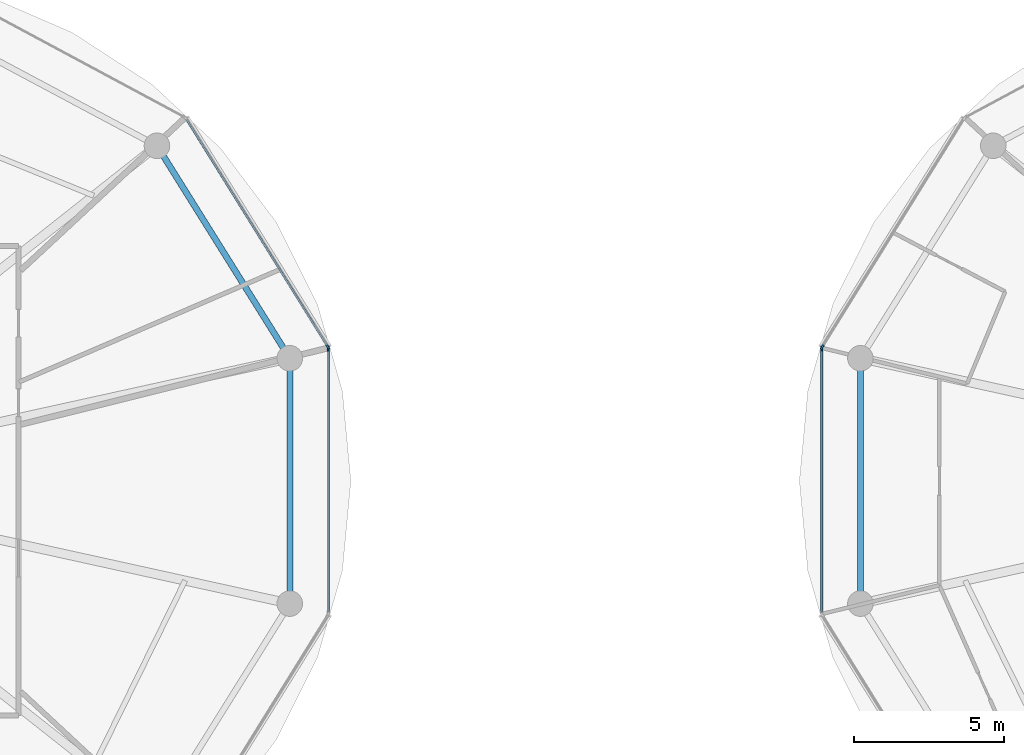
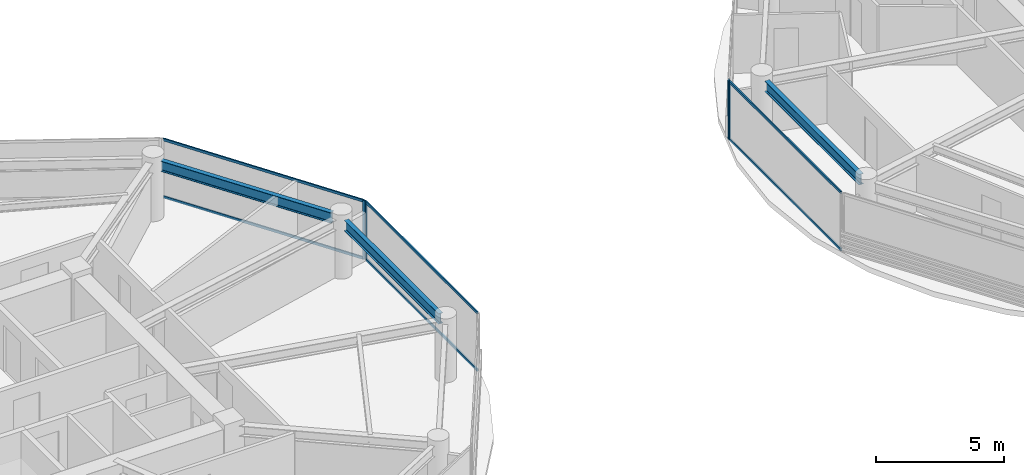
# One storey, part 7 of 23: 10 members, 3 beams, 4 elements without a shape of their own.
"""IFC4 building model written with IfcOpenShell, lengths in metres."""

from ifc_helpers import new_model, si_unit, direction, frame, origin, origin_2d, place, context, subcontext, project, spatial, rectangle, i_section, extrude, source, transform, mapped, material, layer, layer_set, material_profile, profile_set, type_object, type_shapes, element, aggregate, save


model = new_model("IFC4")

# Units and contexts
model_context = context("Model", 3, precision=1e-05, world=origin(), true_north=direction((0.0, 1.0)))
body_context = subcontext(model_context, "Body", "Model", "MODEL_VIEW")
ifc_project = project(units=[si_unit("LENGTHUNIT", "METRE"), si_unit("AREAUNIT", "SQUARE_METRE"), si_unit("VOLUMEUNIT", "CUBIC_METRE"), si_unit("PLANEANGLEUNIT", "RADIAN"), si_unit("MASSUNIT", "GRAM", prefix="KILO")], contexts=[model_context])

# Site, building, storey
site_placement = place(None, origin())
site = spatial("IfcSite", under=ifc_project, at=site_placement, CompositionType="ELEMENT")
building_placement = place(site_placement, origin())
building = spatial("IfcBuilding", under=site, at=building_placement, Name="Norrkilde Senior Care Towers", CompositionType="ELEMENT")
storey_placement = place(building_placement, frame((0.0, 0.0, 93.199951171875)))
storey = spatial("IfcBuildingStorey", under=building, at=storey_placement, Name="L28", CompositionType="ELEMENT", Elevation=93.199951171875)

# Beams
ifc_material_1 = material(Name="Steel S355", Category="steel")
ifc_material_profile_1 = material_profile(ifc_material_1, i_section(OverallWidth=0.199951171875, OverallDepth=0.5, WebThickness=0.01025390625, FlangeThickness=0.01611328125, FilletRadius=0.02099609375, at=origin_2d()), Name="IPE 500")
ifc_profile_set_1 = profile_set([ifc_material_profile_1], Name="Steel S355")
beam_type = type_object("IfcBeamType", Name="Perimeter Ring Spandrel Z2 IPE500", PredefinedType="SPANDREL", material=ifc_profile_set_1)
shared_shape_1 = source(origin(), body_context, "Body", "SweptSolid", [
    extrude(i_section(OverallWidth=0.199951171875, OverallDepth=0.5, WebThickness=0.01025390625, FlangeThickness=0.01611328125, FilletRadius=0.02099609375, at=origin_2d()), origin(), (0.0, 0.0, 1.0), 7.55615234375),
])
beam_placement = place(storey_placement, frame((-9.68505859375, 4.40283203125, 2.5400390625), z_axis=(-0.529981514254, 0.848009194849, 0.0), x_axis=(-0.848009194849, -0.529981514254, 0.0)))
element("IfcBeam", 1, at=beam_placement, inside=storey, type_object=beam_type, Name="L28 Drum W Perimeter Spandrel 01", PredefinedType="SPANDREL", context=body_context, shape_type="MappedRepresentation", body=[
    mapped(shared_shape_1, transform((0.0, 0.0, 0.0), x_axis=(1.0, 0.0, 0.0), y_axis=(0.0, 1.0, 0.0), z_axis=(0.0, 0.0, 1.0), scale=1.0)),
])
shared_shape_2 = source(origin(), body_context, "Body", "SweptSolid", [
    extrude(i_section(OverallWidth=0.199951171875, OverallDepth=0.5, WebThickness=0.01025390625, FlangeThickness=0.01611328125, FilletRadius=0.02099609375, at=origin_2d()), origin(), (0.0, 0.0, 1.0), 7.3828125),
])
type_shapes(beam_type, [shared_shape_1, shared_shape_2])
for number, where, z_axis, x_axis, name in (
    (2, (-9.48095703125, -3.69140625, 2.5400390625), (0.0, 1.0, 0.0), (-1.0, 0.0, 0.0), "L28 Drum W Perimeter Spandrel 12"),
    (3, (9.48095703125, 3.69140625, 2.5400390625), (0.0, -1.0, 0.0), (1.0, 0.0, 0.0), "L28 Drum E Perimeter Spandrel 06"),
):
    element("IfcBeam", number, at=place(storey_placement, frame(where, z_axis=z_axis, x_axis=x_axis)), inside=storey, type_object=beam_type, Name=name, PredefinedType="SPANDREL", context=body_context, shape_type="MappedRepresentation", body=[
        mapped(shared_shape_2, transform((0.0, 0.0, 0.0), x_axis=(1.0, 0.0, 0.0), y_axis=(0.0, 1.0, 0.0), z_axis=(0.0, 0.0, 1.0), scale=1.0)),
    ])

# Curtain wall, member
ifc_material_2 = material(Name="Triple Low-E Insulated Glazing", Category="glass")
ifc_layer = layer(ifc_material_2, 0.195068359375)
ifc_layer_set = layer_set([ifc_layer], Name="Triple Low-E Insulated Glazing")
curtain_wall_type = type_object("IfcCurtainWallType", Name="CW3 Zone 2 Assisted Living Curtain Wall", PredefinedType="NOTDEFINED", material=ifc_layer_set)
curtain_wall_1_placement = place(storey_placement, origin())
curtain_wall_1 = element("IfcCurtainWall", 4, at=curtain_wall_1_placement, inside=storey, type_object=curtain_wall_type, Name="L28 Drum W Curtain Wall 00", PredefinedType="NOTDEFINED")
ifc_material_3 = material(Name="Anodised Aluminium", Category="aluminium")
ifc_material_profile_2 = material_profile(ifc_material_3, rectangle(XDim=0.06494140625, YDim=0.159912109375, at=origin_2d()), Name="ALU MULL 65x160")
ifc_profile_set_2 = profile_set([ifc_material_profile_2], Name="Anodised Aluminium")
member_type_1 = type_object("IfcMemberType", Name="Curtain Wall Mullion Z1-Z2 65x160", PredefinedType="MULLION", material=ifc_profile_set_2)
shared_shape_3 = source(origin(), body_context, "Body", "SweptSolid", [
    extrude(rectangle(XDim=0.06494140625, YDim=0.159912109375, at=origin_2d()), origin(), (0.0, 0.0, 1.0), 2.7900390625),
])
type_shapes(member_type_1, [shared_shape_3])
member_1_placement = place(storey_placement, frame((-8.21337890625, 4.4482421875, 0.0), z_axis=(0.0, 0.0, 1.0), x_axis=(0.849410171862, 0.527733228002, 0.0)))
member_1 = element("IfcMember", 5, at=member_1_placement, type_object=member_type_1, Name="CW-3 mullion 2", PredefinedType="MULLION", context=body_context, shape_type="MappedRepresentation", body=[
    mapped(shared_shape_3, transform((0.0, 0.0, 0.0), x_axis=(1.0, 0.0, 0.0), y_axis=(0.0, 1.0, 0.0), z_axis=(0.0, 0.0, 1.0), scale=1.0)),
])

curtain_wall_2_placement = place(storey_placement, origin())
curtain_wall_2 = element("IfcCurtainWall", 6, at=curtain_wall_2_placement, inside=storey, type_object=curtain_wall_type, Name="L28 Drum W Curtain Wall 11", PredefinedType="NOTDEFINED")
member_2_placement = place(storey_placement, frame((-8.1962890625, 4.38818359375, 0.0), z_axis=(0.0, 0.0, 1.0), x_axis=(1.0, 0.0, 0.0)))
member_2 = element("IfcMember", 7, at=member_2_placement, type_object=member_type_1, Name="CW-3 mullion 1", PredefinedType="MULLION", context=body_context, shape_type="MappedRepresentation", body=[
    mapped(shared_shape_3, transform((0.0, 0.0, 0.0), x_axis=(1.0, 0.0, 0.0), y_axis=(0.0, 1.0, 0.0), z_axis=(0.0, 0.0, 1.0), scale=1.0)),
])

curtain_wall_3_placement = place(storey_placement, origin())
curtain_wall_3 = element("IfcCurtainWall", 8, at=curtain_wall_3_placement, inside=storey, type_object=curtain_wall_type, Name="L28 Drum E Curtain Wall 04", PredefinedType="NOTDEFINED")
member_3_placement = place(storey_placement, frame((8.21337890625, 4.4482421875, 0.0), z_axis=(0.0, 0.0, 1.0), x_axis=(-0.849410171862, 0.527733228002, 0.0)))
member_3 = element("IfcMember", 9, at=member_3_placement, type_object=member_type_1, Name="CW-3 mullion 1", PredefinedType="MULLION", context=body_context, shape_type="MappedRepresentation", body=[
    mapped(shared_shape_3, transform((0.0, 0.0, 0.0), x_axis=(1.0, 0.0, 0.0), y_axis=(0.0, 1.0, 0.0), z_axis=(0.0, 0.0, 1.0), scale=1.0)),
])
aggregate(curtain_wall_3, [member_3])

curtain_wall_4_placement = place(storey_placement, origin())
curtain_wall_4 = element("IfcCurtainWall", 10, at=curtain_wall_4_placement, inside=storey, type_object=curtain_wall_type, Name="L28 Drum E Curtain Wall 05", PredefinedType="NOTDEFINED")
member_4_placement = place(storey_placement, frame((8.1962890625, 4.38818359375, 0.0), z_axis=(0.0, 0.0, 1.0), x_axis=(-1.0, 0.0, 0.0)))
member_4 = element("IfcMember", 11, at=member_4_placement, type_object=member_type_1, Name="CW-3 mullion 2", PredefinedType="MULLION", context=body_context, shape_type="MappedRepresentation", body=[
    mapped(shared_shape_3, transform((0.0, 0.0, 0.0), x_axis=(1.0, 0.0, 0.0), y_axis=(0.0, 1.0, 0.0), z_axis=(0.0, 0.0, 1.0), scale=1.0)),
])

# Member
ifc_material_profile_3 = material_profile(ifc_material_3, rectangle(XDim=0.06005859375, YDim=0.1201171875, at=origin_2d()), Name="ALU TRAN 60x120")
ifc_profile_set_3 = profile_set([ifc_material_profile_3], Name="Anodised Aluminium")
member_type_2 = type_object("IfcMemberType", Name="Curtain Wall Transom Typical 60x120", PredefinedType="USERDEFINED", material=ifc_profile_set_3)
shared_shape_4 = source(origin(), body_context, "Body", "SweptSolid", [
    extrude(rectangle(XDim=0.06005859375, YDim=0.1201171875, at=origin_2d()), origin(), (0.0, 0.0, 1.0), 8.88427734375),
])
member_5_placement = place(storey_placement, frame((-12.919189453125, 12.022216796875, 0.030029296875), z_axis=(0.527749293309, -0.849400190377, 0.0), x_axis=(0.849400190377, 0.527749293309, 0.0)))
member_5 = element("IfcMember", 12, at=member_5_placement, type_object=member_type_2, Name="CW-3 transom 1.1", ObjectType="TRANSOM", PredefinedType="USERDEFINED", context=body_context, shape_type="MappedRepresentation", body=[
    mapped(shared_shape_4, transform((0.0, 0.0, 0.0), x_axis=(1.0, 0.0, 0.0), y_axis=(0.0, 1.0, 0.0), z_axis=(0.0, 0.0, 1.0), scale=1.0)),
])

member_6_placement = place(storey_placement, frame((-12.919189453125, 12.022216796875, 2.760009765625), z_axis=(0.527749293309, -0.849400190377, 0.0), x_axis=(0.849400190377, 0.527749293309, 0.0)))
member_6 = element("IfcMember", 13, at=member_6_placement, type_object=member_type_2, Name="CW-3 transom 1.2", ObjectType="TRANSOM", PredefinedType="USERDEFINED", context=body_context, shape_type="MappedRepresentation", body=[
    mapped(shared_shape_4, transform((0.0, 0.0, 0.0), x_axis=(1.0, 0.0, 0.0), y_axis=(0.0, 1.0, 0.0), z_axis=(0.0, 0.0, 1.0), scale=1.0)),
])

aggregate(curtain_wall_1, [member_1, member_5, member_6])

shared_shape_5 = source(origin(), body_context, "Body", "SweptSolid", [
    extrude(rectangle(XDim=0.06005859375, YDim=0.1201171875, at=origin_2d()), origin(), (0.0, 0.0, 1.0), 8.71142578125),
])
type_shapes(member_type_2, [shared_shape_4, shared_shape_5])
member_7_placement = place(storey_placement, frame((-8.1962890625, 4.355712890625, 0.030029296875), z_axis=(0.0, -1.0, 0.0), x_axis=(1.0, 0.0, 0.0)))
member_7 = element("IfcMember", 14, at=member_7_placement, type_object=member_type_2, Name="CW-3 transom 1.1", ObjectType="TRANSOM", PredefinedType="USERDEFINED", context=body_context, shape_type="MappedRepresentation", body=[
    mapped(shared_shape_5, transform((0.0, 0.0, 0.0), x_axis=(1.0, 0.0, 0.0), y_axis=(0.0, 1.0, 0.0), z_axis=(0.0, 0.0, 1.0), scale=1.0)),
])

member_8_placement = place(storey_placement, frame((-8.1962890625, 4.355712890625, 2.760009765625), z_axis=(0.0, -1.0, 0.0), x_axis=(1.0, 0.0, 0.0)))
member_8 = element("IfcMember", 15, at=member_8_placement, type_object=member_type_2, Name="CW-3 transom 1.2", ObjectType="TRANSOM", PredefinedType="USERDEFINED", context=body_context, shape_type="MappedRepresentation", body=[
    mapped(shared_shape_5, transform((0.0, 0.0, 0.0), x_axis=(1.0, 0.0, 0.0), y_axis=(0.0, 1.0, 0.0), z_axis=(0.0, 0.0, 1.0), scale=1.0)),
])

aggregate(curtain_wall_2, [member_2, member_7, member_8])

member_9_placement = place(storey_placement, frame((8.1962890625, -4.355712890625, 0.030029296875), z_axis=(0.0, 1.0, 0.0), x_axis=(-1.0, 0.0, 0.0)))
member_9 = element("IfcMember", 16, at=member_9_placement, type_object=member_type_2, Name="CW-3 transom 1.1", ObjectType="TRANSOM", PredefinedType="USERDEFINED", context=body_context, shape_type="MappedRepresentation", body=[
    mapped(shared_shape_5, transform((0.0, 0.0, 0.0), x_axis=(1.0, 0.0, 0.0), y_axis=(0.0, 1.0, 0.0), z_axis=(0.0, 0.0, 1.0), scale=1.0)),
])

member_10_placement = place(storey_placement, frame((8.1962890625, -4.355712890625, 2.760009765625), z_axis=(0.0, 1.0, 0.0), x_axis=(-1.0, 0.0, 0.0)))
member_10 = element("IfcMember", 17, at=member_10_placement, type_object=member_type_2, Name="CW-3 transom 1.2", ObjectType="TRANSOM", PredefinedType="USERDEFINED", context=body_context, shape_type="MappedRepresentation", body=[
    mapped(shared_shape_5, transform((0.0, 0.0, 0.0), x_axis=(1.0, 0.0, 0.0), y_axis=(0.0, 1.0, 0.0), z_axis=(0.0, 0.0, 1.0), scale=1.0)),
])

aggregate(curtain_wall_4, [member_4, member_9, member_10])

save(model, "model.ifc")
